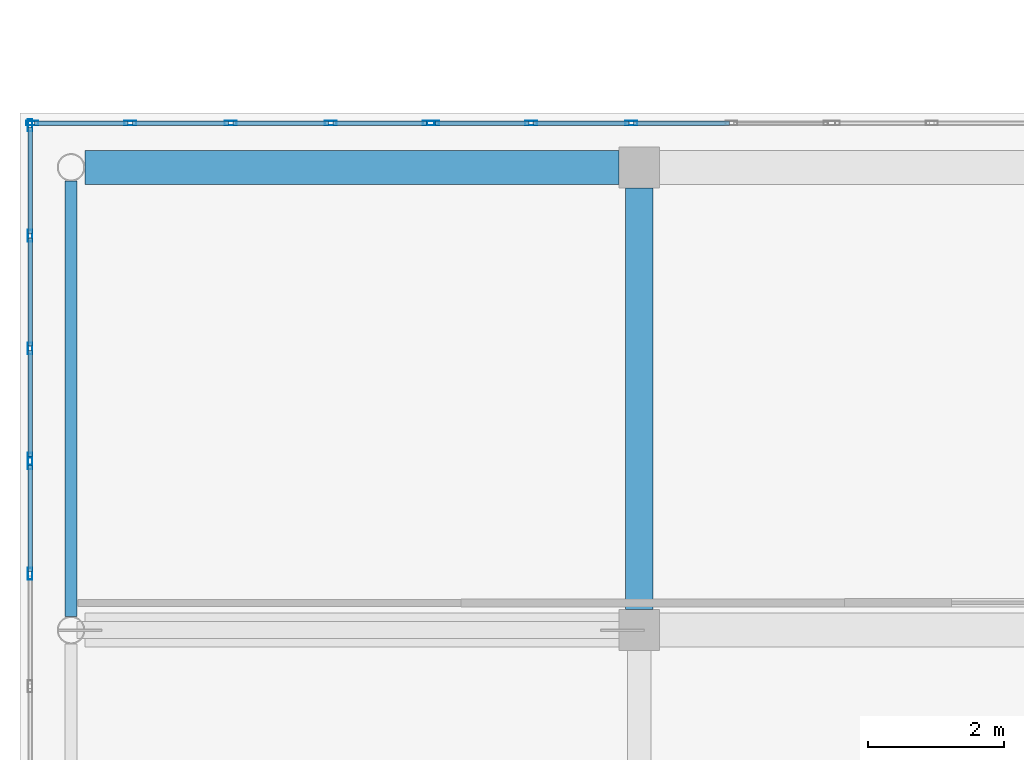
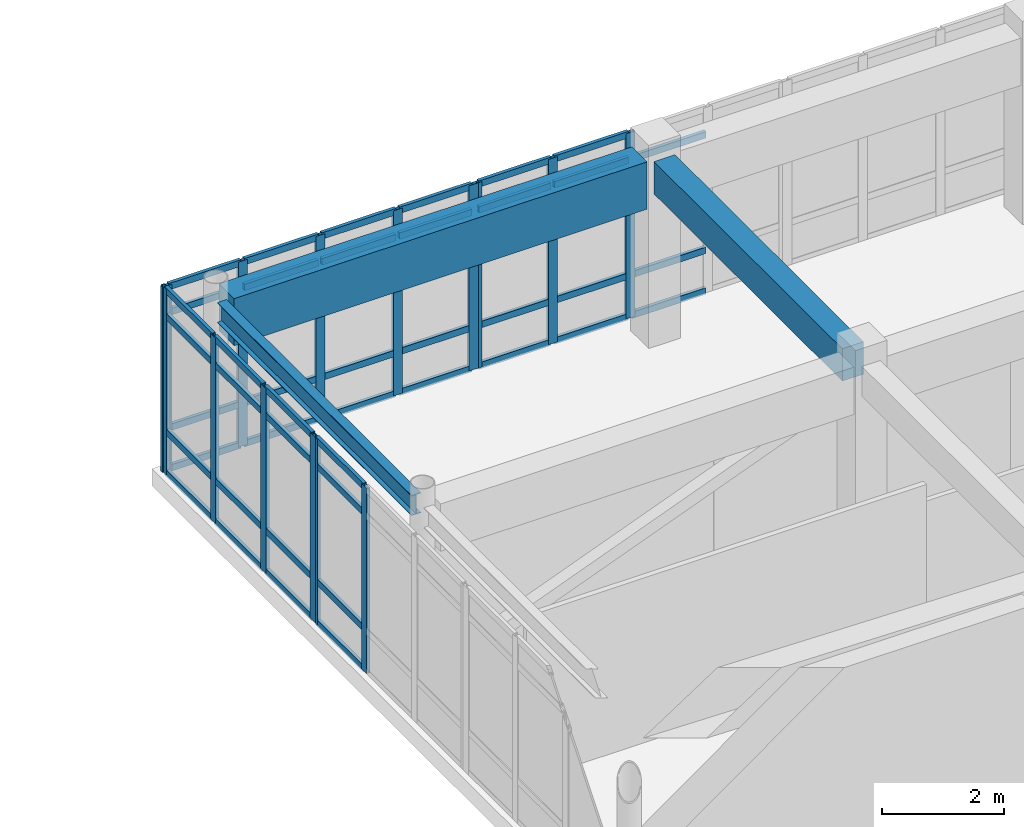
# One storey, part 20 of 91: 57 members, 3 beams, 4 elements without a shape of their own.
"""IFC4 building model written with IfcOpenShell, lengths in metres."""

from ifc_helpers import new_model, si_unit, direction, frame, origin, origin_2d, place, context, subcontext, project, spatial, rectangle, hollow_rectangle, i_section, extrude, material, layer, layer_set, material_profile, profile_set, type_object, element, aggregate, save


model = new_model("IFC4")

# Units and contexts
model_context = context("Model", 3, precision=1e-05, world=origin(), true_north=direction((0.0, 1.0)))
body_context = subcontext(model_context, "Body", "Model", "MODEL_VIEW")
ifc_project = project(units=[si_unit("LENGTHUNIT", "METRE"), si_unit("AREAUNIT", "SQUARE_METRE"), si_unit("VOLUMEUNIT", "CUBIC_METRE"), si_unit("PLANEANGLEUNIT", "RADIAN"), si_unit("MASSUNIT", "GRAM", prefix="KILO")], contexts=[model_context])

# Site, building, storey
site_placement = place(None, origin())
site = spatial("IfcSite", under=ifc_project, at=site_placement, CompositionType="ELEMENT")
building_placement = place(site_placement, origin())
building = spatial("IfcBuilding", under=site, at=building_placement, Name="Valcora Specialist Clinic", CompositionType="ELEMENT")
storey_placement = place(building_placement, frame((0.0, 0.0, 13.60009765625)))
storey = spatial("IfcBuildingStorey", under=building, at=storey_placement, Name="L03", CompositionType="ELEMENT", Elevation=13.60009765625)

# Beams
ifc_material_1 = material(Name="Steel ASTM A992 Grade 50", Category="steel")
ifc_material_profile_1 = material_profile(ifc_material_1, i_section(OverallWidth=0.177978515625, OverallDepth=0.406005859375, WebThickness=0.008056640625, FlangeThickness=0.012939453125, at=origin_2d()), Name="ST-IR-410X180")
ifc_profile_set_1 = profile_set([ifc_material_profile_1], Name="Steel ASTM A992 Grade 50")
beam_type_1 = type_object("IfcBeamType", Name="TY-BM-IR410", PredefinedType="SPANDREL", material=ifc_profile_set_1)
beam_1_placement = place(storey_placement, frame((0.75, 15.403076171875, 3.512939453125), z_axis=(0.0, 1.0, 0.0), x_axis=(-1.0, 0.0, 0.0)))
element("IfcBeam", 1, at=beam_1_placement, inside=storey, type_object=beam_type_1, Name="Beam BM-L03-1055", PredefinedType="SPANDREL", context=body_context, shape_type="SweptSolid", body=[
    extrude(i_section(OverallWidth=0.177978515625, OverallDepth=0.406005859375, WebThickness=0.008056640625, FlangeThickness=0.012939453125, at=origin_2d()), origin(), (0.0, 0.0, 1.0), 6.39404296875),
])
ifc_material_2 = material(Name="Concrete C40/50", Category="concrete")
ifc_material_profile_2 = material_profile(ifc_material_2, rectangle(XDim=0.39990234375, YDim=0.64990234375, at=origin_2d()), Name="RC-BM-400X650")
ifc_profile_set_2 = profile_set([ifc_material_profile_2], Name="Concrete C40/50")
beam_type_2 = type_object("IfcBeamType", Name="TY-BM-RC400X650", PredefinedType="BEAM", material=ifc_profile_set_2)
beam_2_placement = place(storey_placement, frame((9.10009765625, 15.5, 3.39501953125), z_axis=(0.0, 1.0, 0.0), x_axis=(-1.0, 0.0, 0.0)))
element("IfcBeam", 2, at=beam_2_placement, inside=storey, type_object=beam_type_2, Name="Beam BM-L03-1057", PredefinedType="BEAM", context=body_context, shape_type="SweptSolid", body=[
    extrude(rectangle(XDim=0.39990234375, YDim=0.64990234375, at=origin_2d()), origin(), (0.0, 0.0, 1.0), 6.199951171875),
])
ifc_material_profile_3 = material_profile(ifc_material_2, rectangle(XDim=0.5, YDim=0.949951171875, at=origin_2d()), Name="RC-BM-500X950")
ifc_profile_set_3 = profile_set([ifc_material_profile_3], Name="Concrete C40/50")
beam_type_3 = type_object("IfcBeamType", Name="TY-BM-TR500X950", PredefinedType="BEAM", material=ifc_profile_set_3)
beam_3_placement = place(storey_placement, frame((0.952880859375, 22.0, 3.244873046875), z_axis=(1.0, 0.0, 0.0), x_axis=(0.0, 1.0, 0.0)))
element("IfcBeam", 3, at=beam_3_placement, inside=storey, type_object=beam_type_3, Name="Beam BM-L03-1047", PredefinedType="BEAM", context=body_context, shape_type="SweptSolid", body=[
    extrude(rectangle(XDim=0.5, YDim=0.949951171875, at=origin_2d()), origin(), (0.0, 0.0, 1.0), 7.84716796875),
])

# Curtain wall, members
ifc_material_3 = material(Name="Anodized Bronze Aluminium 6063-T6", Category="aluminium")
ifc_layer = layer(ifc_material_3, 0.175048828125)
ifc_layer_set = layer_set([ifc_layer], Name="Anodized Bronze Aluminium 6063-T6")
curtain_wall_type = type_object("IfcCurtainWallType", Name="TY-CW-V5F15", PredefinedType="NOTDEFINED", material=ifc_layer_set)
curtain_wall_1_placement = place(storey_placement, origin())
curtain_wall_1 = element("IfcCurtainWall", 4, at=curtain_wall_1_placement, inside=storey, type_object=curtain_wall_type, Name="Curtain wall CW-L03-153", PredefinedType="NOTDEFINED")
ifc_material_profile_4 = material_profile(ifc_material_3, hollow_rectangle(XDim=0.06494140625, YDim=0.175048828125, WallThickness=0.00390625, at=origin_2d()), Name="AL-MUL-65X175")
ifc_profile_set_4 = profile_set([ifc_material_profile_4], Name="Anodized Bronze Aluminium 6063-T6")
member_type_1 = type_object("IfcMemberType", Name="TY-CWM-65X175", PredefinedType="MULLION", material=ifc_profile_set_4)
member_1_placement = place(storey_placement, frame((0.14990234375, 16.02783203125, 0.0), z_axis=(0.0, 0.0, 1.0), x_axis=(-1.0, 0.0, 0.0)))
member_1 = element("IfcMember", 5, at=member_1_placement, type_object=member_type_1, Name="CW-V5F-15 mullion 3", PredefinedType="MULLION", context=body_context, shape_type="SweptSolid", body=[
    extrude(hollow_rectangle(XDim=0.06494140625, YDim=0.175048828125, WallThickness=0.00390625, at=origin_2d()), origin(), (0.0, 0.0, 1.0), 3.719970703125),
])
member_2_placement = place(storey_placement, frame((0.14990234375, 17.65087890625, 0.0), z_axis=(0.0, 0.0, 1.0), x_axis=(-1.0, 0.0, 0.0)))
member_2 = element("IfcMember", 6, at=member_2_placement, type_object=member_type_1, Name="CW-V5F-15 mullion 4", PredefinedType="MULLION", context=body_context, shape_type="SweptSolid", body=[
    extrude(hollow_rectangle(XDim=0.06494140625, YDim=0.175048828125, WallThickness=0.00390625, at=origin_2d()), origin(), (0.0, 0.0, 1.0), 3.719970703125),
])

curtain_wall_2_placement = place(storey_placement, origin())
curtain_wall_2 = element("IfcCurtainWall", 7, at=curtain_wall_2_placement, inside=storey, type_object=curtain_wall_type, Name="Curtain wall CW-L03-154", PredefinedType="NOTDEFINED")
member_3_placement = place(storey_placement, frame((0.14990234375, 17.7158203125, 0.0), z_axis=(0.0, 0.0, 1.0), x_axis=(-1.0, 0.0, 0.0)))
member_3 = element("IfcMember", 8, at=member_3_placement, type_object=member_type_1, Name="CW-V5F-15 mullion 1", PredefinedType="MULLION", context=body_context, shape_type="SweptSolid", body=[
    extrude(hollow_rectangle(XDim=0.06494140625, YDim=0.175048828125, WallThickness=0.00390625, at=origin_2d()), origin(), (0.0, 0.0, 1.0), 3.719970703125),
])
member_4_placement = place(storey_placement, frame((0.14990234375, 19.3388671875, 0.0), z_axis=(0.0, 0.0, 1.0), x_axis=(-1.0, 0.0, 0.0)))
member_4 = element("IfcMember", 9, at=member_4_placement, type_object=member_type_1, Name="CW-V5F-15 mullion 2", PredefinedType="MULLION", context=body_context, shape_type="SweptSolid", body=[
    extrude(hollow_rectangle(XDim=0.06494140625, YDim=0.175048828125, WallThickness=0.00390625, at=origin_2d()), origin(), (0.0, 0.0, 1.0), 3.719970703125),
])
member_5_placement = place(storey_placement, frame((0.14990234375, 20.994384765625, 0.0), z_axis=(0.0, 0.0, 1.0), x_axis=(-1.0, 0.0, 0.0)))
member_5 = element("IfcMember", 10, at=member_5_placement, type_object=member_type_1, Name="CW-V5F-15 mullion 3", PredefinedType="MULLION", context=body_context, shape_type="SweptSolid", body=[
    extrude(hollow_rectangle(XDim=0.06494140625, YDim=0.175048828125, WallThickness=0.00390625, at=origin_2d()), origin(), (0.0, 0.0, 1.0), 3.719970703125),
])
member_6_placement = place(storey_placement, frame((0.14990234375, 22.617431640625, 0.0), z_axis=(0.0, 0.0, 1.0), x_axis=(-1.0, 0.0, 0.0)))
member_6 = element("IfcMember", 11, at=member_6_placement, type_object=member_type_1, Name="CW-V5F-15 mullion 4", PredefinedType="MULLION", context=body_context, shape_type="SweptSolid", body=[
    extrude(hollow_rectangle(XDim=0.06494140625, YDim=0.175048828125, WallThickness=0.00390625, at=origin_2d()), origin(), (0.0, 0.0, 1.0), 3.719970703125),
])

curtain_wall_3_placement = place(storey_placement, origin())
curtain_wall_3 = element("IfcCurtainWall", 12, at=curtain_wall_3_placement, inside=storey, type_object=curtain_wall_type, Name="Curtain wall CW-L03-155", PredefinedType="NOTDEFINED")
member_7_placement = place(storey_placement, frame((0.1826171875, 22.64990234375, 0.0), z_axis=(0.0, 0.0, 1.0), x_axis=(0.0, 1.0, 0.0)))
member_7 = element("IfcMember", 13, at=member_7_placement, type_object=member_type_1, Name="CW-V5F-15 mullion 1", PredefinedType="MULLION", context=body_context, shape_type="SweptSolid", body=[
    extrude(hollow_rectangle(XDim=0.06494140625, YDim=0.175048828125, WallThickness=0.00390625, at=origin_2d()), origin(), (0.0, 0.0, 1.0), 3.719970703125),
])
member_8_placement = place(storey_placement, frame((1.622314453125, 22.64990234375, 0.0), z_axis=(0.0, 0.0, 1.0), x_axis=(0.0, 1.0, 0.0)))
member_8 = element("IfcMember", 14, at=member_8_placement, type_object=member_type_1, Name="CW-V5F-15 mullion 2", PredefinedType="MULLION", context=body_context, shape_type="SweptSolid", body=[
    extrude(hollow_rectangle(XDim=0.06494140625, YDim=0.175048828125, WallThickness=0.00390625, at=origin_2d()), origin(), (0.0, 0.0, 1.0), 3.719970703125),
])
member_9_placement = place(storey_placement, frame((3.094482421875, 22.64990234375, 0.0), z_axis=(0.0, 0.0, 1.0), x_axis=(0.0, 1.0, 0.0)))
member_9 = element("IfcMember", 15, at=member_9_placement, type_object=member_type_1, Name="CW-V5F-15 mullion 3", PredefinedType="MULLION", context=body_context, shape_type="SweptSolid", body=[
    extrude(hollow_rectangle(XDim=0.06494140625, YDim=0.175048828125, WallThickness=0.00390625, at=origin_2d()), origin(), (0.0, 0.0, 1.0), 3.719970703125),
])
member_10_placement = place(storey_placement, frame((4.566650390625, 22.64990234375, 0.0), z_axis=(0.0, 0.0, 1.0), x_axis=(0.0, 1.0, 0.0)))
member_10 = element("IfcMember", 16, at=member_10_placement, type_object=member_type_1, Name="CW-V5F-15 mullion 4", PredefinedType="MULLION", context=body_context, shape_type="SweptSolid", body=[
    extrude(hollow_rectangle(XDim=0.06494140625, YDim=0.175048828125, WallThickness=0.00390625, at=origin_2d()), origin(), (0.0, 0.0, 1.0), 3.719970703125),
])
member_11_placement = place(storey_placement, frame((6.00634765625, 22.64990234375, 0.0), z_axis=(0.0, 0.0, 1.0), x_axis=(0.0, 1.0, 0.0)))
member_11 = element("IfcMember", 17, at=member_11_placement, type_object=member_type_1, Name="CW-V5F-15 mullion 5", PredefinedType="MULLION", context=body_context, shape_type="SweptSolid", body=[
    extrude(hollow_rectangle(XDim=0.06494140625, YDim=0.175048828125, WallThickness=0.00390625, at=origin_2d()), origin(), (0.0, 0.0, 1.0), 3.719970703125),
])

curtain_wall_4_placement = place(storey_placement, origin())
curtain_wall_4 = element("IfcCurtainWall", 18, at=curtain_wall_4_placement, inside=storey, type_object=curtain_wall_type, Name="Curtain wall CW-L03-156", PredefinedType="NOTDEFINED")
member_12_placement = place(storey_placement, frame((6.0712890625, 22.64990234375, 0.0), z_axis=(0.0, 0.0, 1.0), x_axis=(0.0, 1.0, 0.0)))
member_12 = element("IfcMember", 19, at=member_12_placement, type_object=member_type_1, Name="CW-V5F-15 mullion 1", PredefinedType="MULLION", context=body_context, shape_type="SweptSolid", body=[
    extrude(hollow_rectangle(XDim=0.06494140625, YDim=0.175048828125, WallThickness=0.00390625, at=origin_2d()), origin(), (0.0, 0.0, 1.0), 3.719970703125),
])
member_13_placement = place(storey_placement, frame((7.51123046875, 22.64990234375, 0.0), z_axis=(0.0, 0.0, 1.0), x_axis=(0.0, 1.0, 0.0)))
member_13 = element("IfcMember", 20, at=member_13_placement, type_object=member_type_1, Name="CW-V5F-15 mullion 2", PredefinedType="MULLION", context=body_context, shape_type="SweptSolid", body=[
    extrude(hollow_rectangle(XDim=0.06494140625, YDim=0.175048828125, WallThickness=0.00390625, at=origin_2d()), origin(), (0.0, 0.0, 1.0), 3.719970703125),
])
member_14_placement = place(storey_placement, frame((8.9833984375, 22.64990234375, 0.0), z_axis=(0.0, 0.0, 1.0), x_axis=(0.0, 1.0, 0.0)))
member_14 = element("IfcMember", 21, at=member_14_placement, type_object=member_type_1, Name="CW-V5F-15 mullion 3", PredefinedType="MULLION", context=body_context, shape_type="SweptSolid", body=[
    extrude(hollow_rectangle(XDim=0.06494140625, YDim=0.175048828125, WallThickness=0.00390625, at=origin_2d()), origin(), (0.0, 0.0, 1.0), 3.719970703125),
])

# Member
ifc_material_profile_5 = material_profile(ifc_material_3, hollow_rectangle(XDim=0.06494140625, YDim=0.1298828125, WallThickness=0.00390625, at=origin_2d()), Name="AL-TRN-65X130")
ifc_profile_set_5 = profile_set([ifc_material_profile_5], Name="Anodized Bronze Aluminium 6063-T6")
member_type_2 = type_object("IfcMemberType", Name="TY-CWT-65X130", PredefinedType="USERDEFINED", material=ifc_profile_set_5)
member_15_placement = place(storey_placement, frame((0.14990234375, 16.060302734375, 0.032470703125), z_axis=(0.0, 1.0, 0.0), x_axis=(-1.0, 0.0, 0.0)))
member_15 = element("IfcMember", 22, at=member_15_placement, type_object=member_type_2, Name="CW-V5F-15 transom 3.1", ObjectType="TRANSOM", PredefinedType="USERDEFINED", context=body_context, shape_type="SweptSolid", body=[
    extrude(hollow_rectangle(XDim=0.06494140625, YDim=0.1298828125, WallThickness=0.00390625, at=origin_2d()), origin(), (0.0, 0.0, 1.0), 1.55810546875),
])

member_16_placement = place(storey_placement, frame((0.14990234375, 16.060302734375, 0.849853515625), z_axis=(0.0, 1.0, 0.0), x_axis=(-1.0, 0.0, 0.0)))
member_16 = element("IfcMember", 23, at=member_16_placement, type_object=member_type_2, Name="CW-V5F-15 transom 3.2", ObjectType="TRANSOM", PredefinedType="USERDEFINED", context=body_context, shape_type="SweptSolid", body=[
    extrude(hollow_rectangle(XDim=0.06494140625, YDim=0.1298828125, WallThickness=0.00390625, at=origin_2d()), origin(), (0.0, 0.0, 1.0), 1.55810546875),
])

member_17_placement = place(storey_placement, frame((0.14990234375, 16.060302734375, 3.169921875), z_axis=(0.0, 1.0, 0.0), x_axis=(-1.0, 0.0, 0.0)))
member_17 = element("IfcMember", 24, at=member_17_placement, type_object=member_type_2, Name="CW-V5F-15 transom 3.3", ObjectType="TRANSOM", PredefinedType="USERDEFINED", context=body_context, shape_type="SweptSolid", body=[
    extrude(hollow_rectangle(XDim=0.06494140625, YDim=0.1298828125, WallThickness=0.00390625, at=origin_2d()), origin(), (0.0, 0.0, 1.0), 1.55810546875),
])

member_18_placement = place(storey_placement, frame((0.14990234375, 16.060302734375, 3.6875), z_axis=(0.0, 1.0, 0.0), x_axis=(-1.0, 0.0, 0.0)))
member_18 = element("IfcMember", 25, at=member_18_placement, type_object=member_type_2, Name="CW-V5F-15 transom 3.4", ObjectType="TRANSOM", PredefinedType="USERDEFINED", context=body_context, shape_type="SweptSolid", body=[
    extrude(hollow_rectangle(XDim=0.06494140625, YDim=0.1298828125, WallThickness=0.00390625, at=origin_2d()), origin(), (0.0, 0.0, 1.0), 1.55810546875),
])

aggregate(curtain_wall_1, [member_1, member_2, member_15, member_16, member_17, member_18])

member_19_placement = place(storey_placement, frame((0.14990234375, 17.748291015625, 0.032470703125), z_axis=(0.0, 1.0, 0.0), x_axis=(-1.0, 0.0, 0.0)))
member_19 = element("IfcMember", 26, at=member_19_placement, type_object=member_type_2, Name="CW-V5F-15 transom 1.1", ObjectType="TRANSOM", PredefinedType="USERDEFINED", context=body_context, shape_type="SweptSolid", body=[
    extrude(hollow_rectangle(XDim=0.06494140625, YDim=0.1298828125, WallThickness=0.00390625, at=origin_2d()), origin(), (0.0, 0.0, 1.0), 1.55810546875),
])

member_20_placement = place(storey_placement, frame((0.14990234375, 17.748291015625, 0.849853515625), z_axis=(0.0, 1.0, 0.0), x_axis=(-1.0, 0.0, 0.0)))
member_20 = element("IfcMember", 27, at=member_20_placement, type_object=member_type_2, Name="CW-V5F-15 transom 1.2", ObjectType="TRANSOM", PredefinedType="USERDEFINED", context=body_context, shape_type="SweptSolid", body=[
    extrude(hollow_rectangle(XDim=0.06494140625, YDim=0.1298828125, WallThickness=0.00390625, at=origin_2d()), origin(), (0.0, 0.0, 1.0), 1.55810546875),
])

member_21_placement = place(storey_placement, frame((0.14990234375, 17.748291015625, 3.169921875), z_axis=(0.0, 1.0, 0.0), x_axis=(-1.0, 0.0, 0.0)))
member_21 = element("IfcMember", 28, at=member_21_placement, type_object=member_type_2, Name="CW-V5F-15 transom 1.3", ObjectType="TRANSOM", PredefinedType="USERDEFINED", context=body_context, shape_type="SweptSolid", body=[
    extrude(hollow_rectangle(XDim=0.06494140625, YDim=0.1298828125, WallThickness=0.00390625, at=origin_2d()), origin(), (0.0, 0.0, 1.0), 1.55810546875),
])

member_22_placement = place(storey_placement, frame((0.14990234375, 17.748291015625, 3.6875), z_axis=(0.0, 1.0, 0.0), x_axis=(-1.0, 0.0, 0.0)))
member_22 = element("IfcMember", 29, at=member_22_placement, type_object=member_type_2, Name="CW-V5F-15 transom 1.4", ObjectType="TRANSOM", PredefinedType="USERDEFINED", context=body_context, shape_type="SweptSolid", body=[
    extrude(hollow_rectangle(XDim=0.06494140625, YDim=0.1298828125, WallThickness=0.00390625, at=origin_2d()), origin(), (0.0, 0.0, 1.0), 1.55810546875),
])

member_23_placement = place(storey_placement, frame((0.14990234375, 19.371337890625, 0.032470703125), z_axis=(0.0, 1.0, 0.0), x_axis=(-1.0, 0.0, 0.0)))
member_23 = element("IfcMember", 30, at=member_23_placement, type_object=member_type_2, Name="CW-V5F-15 transom 2.1", ObjectType="TRANSOM", PredefinedType="USERDEFINED", context=body_context, shape_type="SweptSolid", body=[
    extrude(hollow_rectangle(XDim=0.06494140625, YDim=0.1298828125, WallThickness=0.00390625, at=origin_2d()), origin(), (0.0, 0.0, 1.0), 1.590576171875),
])

member_24_placement = place(storey_placement, frame((0.14990234375, 19.371337890625, 0.849853515625), z_axis=(0.0, 1.0, 0.0), x_axis=(-1.0, 0.0, 0.0)))
member_24 = element("IfcMember", 31, at=member_24_placement, type_object=member_type_2, Name="CW-V5F-15 transom 2.2", ObjectType="TRANSOM", PredefinedType="USERDEFINED", context=body_context, shape_type="SweptSolid", body=[
    extrude(hollow_rectangle(XDim=0.06494140625, YDim=0.1298828125, WallThickness=0.00390625, at=origin_2d()), origin(), (0.0, 0.0, 1.0), 1.590576171875),
])

member_25_placement = place(storey_placement, frame((0.14990234375, 19.371337890625, 3.169921875), z_axis=(0.0, 1.0, 0.0), x_axis=(-1.0, 0.0, 0.0)))
member_25 = element("IfcMember", 32, at=member_25_placement, type_object=member_type_2, Name="CW-V5F-15 transom 2.3", ObjectType="TRANSOM", PredefinedType="USERDEFINED", context=body_context, shape_type="SweptSolid", body=[
    extrude(hollow_rectangle(XDim=0.06494140625, YDim=0.1298828125, WallThickness=0.00390625, at=origin_2d()), origin(), (0.0, 0.0, 1.0), 1.590576171875),
])

member_26_placement = place(storey_placement, frame((0.14990234375, 19.371337890625, 3.6875), z_axis=(0.0, 1.0, 0.0), x_axis=(-1.0, 0.0, 0.0)))
member_26 = element("IfcMember", 33, at=member_26_placement, type_object=member_type_2, Name="CW-V5F-15 transom 2.4", ObjectType="TRANSOM", PredefinedType="USERDEFINED", context=body_context, shape_type="SweptSolid", body=[
    extrude(hollow_rectangle(XDim=0.06494140625, YDim=0.1298828125, WallThickness=0.00390625, at=origin_2d()), origin(), (0.0, 0.0, 1.0), 1.590576171875),
])

member_27_placement = place(storey_placement, frame((0.14990234375, 21.02685546875, 0.032470703125), z_axis=(0.0, 1.0, 0.0), x_axis=(-1.0, 0.0, 0.0)))
member_27 = element("IfcMember", 34, at=member_27_placement, type_object=member_type_2, Name="CW-V5F-15 transom 3.1", ObjectType="TRANSOM", PredefinedType="USERDEFINED", context=body_context, shape_type="SweptSolid", body=[
    extrude(hollow_rectangle(XDim=0.06494140625, YDim=0.1298828125, WallThickness=0.00390625, at=origin_2d()), origin(), (0.0, 0.0, 1.0), 1.55810546875),
])

member_28_placement = place(storey_placement, frame((0.14990234375, 21.02685546875, 0.849853515625), z_axis=(0.0, 1.0, 0.0), x_axis=(-1.0, 0.0, 0.0)))
member_28 = element("IfcMember", 35, at=member_28_placement, type_object=member_type_2, Name="CW-V5F-15 transom 3.2", ObjectType="TRANSOM", PredefinedType="USERDEFINED", context=body_context, shape_type="SweptSolid", body=[
    extrude(hollow_rectangle(XDim=0.06494140625, YDim=0.1298828125, WallThickness=0.00390625, at=origin_2d()), origin(), (0.0, 0.0, 1.0), 1.55810546875),
])

member_29_placement = place(storey_placement, frame((0.14990234375, 21.02685546875, 3.169921875), z_axis=(0.0, 1.0, 0.0), x_axis=(-1.0, 0.0, 0.0)))
member_29 = element("IfcMember", 36, at=member_29_placement, type_object=member_type_2, Name="CW-V5F-15 transom 3.3", ObjectType="TRANSOM", PredefinedType="USERDEFINED", context=body_context, shape_type="SweptSolid", body=[
    extrude(hollow_rectangle(XDim=0.06494140625, YDim=0.1298828125, WallThickness=0.00390625, at=origin_2d()), origin(), (0.0, 0.0, 1.0), 1.55810546875),
])

member_30_placement = place(storey_placement, frame((0.14990234375, 21.02685546875, 3.6875), z_axis=(0.0, 1.0, 0.0), x_axis=(-1.0, 0.0, 0.0)))
member_30 = element("IfcMember", 37, at=member_30_placement, type_object=member_type_2, Name="CW-V5F-15 transom 3.4", ObjectType="TRANSOM", PredefinedType="USERDEFINED", context=body_context, shape_type="SweptSolid", body=[
    extrude(hollow_rectangle(XDim=0.06494140625, YDim=0.1298828125, WallThickness=0.00390625, at=origin_2d()), origin(), (0.0, 0.0, 1.0), 1.55810546875),
])

aggregate(curtain_wall_2, [member_3, member_4, member_5, member_6, member_19, member_20, member_21, member_22, member_23, member_24, member_25, member_26, member_27, member_28, member_29, member_30])

member_31_placement = place(storey_placement, frame((0.215087890625, 22.64990234375, 0.032470703125), z_axis=(1.0, 0.0, 0.0), x_axis=(0.0, 1.0, 0.0)))
member_31 = element("IfcMember", 38, at=member_31_placement, type_object=member_type_2, Name="CW-V5F-15 transom 1.1", ObjectType="TRANSOM", PredefinedType="USERDEFINED", context=body_context, shape_type="SweptSolid", body=[
    extrude(hollow_rectangle(XDim=0.06494140625, YDim=0.1298828125, WallThickness=0.00390625, at=origin_2d()), origin(), (0.0, 0.0, 1.0), 1.374755859375),
])

member_32_placement = place(storey_placement, frame((0.215087890625, 22.64990234375, 0.849853515625), z_axis=(1.0, 0.0, 0.0), x_axis=(0.0, 1.0, 0.0)))
member_32 = element("IfcMember", 39, at=member_32_placement, type_object=member_type_2, Name="CW-V5F-15 transom 1.2", ObjectType="TRANSOM", PredefinedType="USERDEFINED", context=body_context, shape_type="SweptSolid", body=[
    extrude(hollow_rectangle(XDim=0.06494140625, YDim=0.1298828125, WallThickness=0.00390625, at=origin_2d()), origin(), (0.0, 0.0, 1.0), 1.374755859375),
])

member_33_placement = place(storey_placement, frame((0.215087890625, 22.64990234375, 3.169921875), z_axis=(1.0, 0.0, 0.0), x_axis=(0.0, 1.0, 0.0)))
member_33 = element("IfcMember", 40, at=member_33_placement, type_object=member_type_2, Name="CW-V5F-15 transom 1.3", ObjectType="TRANSOM", PredefinedType="USERDEFINED", context=body_context, shape_type="SweptSolid", body=[
    extrude(hollow_rectangle(XDim=0.06494140625, YDim=0.1298828125, WallThickness=0.00390625, at=origin_2d()), origin(), (0.0, 0.0, 1.0), 1.374755859375),
])

member_34_placement = place(storey_placement, frame((0.215087890625, 22.64990234375, 3.6875), z_axis=(1.0, 0.0, 0.0), x_axis=(0.0, 1.0, 0.0)))
member_34 = element("IfcMember", 41, at=member_34_placement, type_object=member_type_2, Name="CW-V5F-15 transom 1.4", ObjectType="TRANSOM", PredefinedType="USERDEFINED", context=body_context, shape_type="SweptSolid", body=[
    extrude(hollow_rectangle(XDim=0.06494140625, YDim=0.1298828125, WallThickness=0.00390625, at=origin_2d()), origin(), (0.0, 0.0, 1.0), 1.374755859375),
])

member_35_placement = place(storey_placement, frame((1.65478515625, 22.64990234375, 0.032470703125), z_axis=(1.0, 0.0, 0.0), x_axis=(0.0, 1.0, 0.0)))
member_35 = element("IfcMember", 42, at=member_35_placement, type_object=member_type_2, Name="CW-V5F-15 transom 2.1", ObjectType="TRANSOM", PredefinedType="USERDEFINED", context=body_context, shape_type="SweptSolid", body=[
    extrude(hollow_rectangle(XDim=0.06494140625, YDim=0.1298828125, WallThickness=0.00390625, at=origin_2d()), origin(), (0.0, 0.0, 1.0), 1.4072265625),
])

member_36_placement = place(storey_placement, frame((1.65478515625, 22.64990234375, 0.849853515625), z_axis=(1.0, 0.0, 0.0), x_axis=(0.0, 1.0, 0.0)))
member_36 = element("IfcMember", 43, at=member_36_placement, type_object=member_type_2, Name="CW-V5F-15 transom 2.2", ObjectType="TRANSOM", PredefinedType="USERDEFINED", context=body_context, shape_type="SweptSolid", body=[
    extrude(hollow_rectangle(XDim=0.06494140625, YDim=0.1298828125, WallThickness=0.00390625, at=origin_2d()), origin(), (0.0, 0.0, 1.0), 1.4072265625),
])

member_37_placement = place(storey_placement, frame((1.65478515625, 22.64990234375, 3.169921875), z_axis=(1.0, 0.0, 0.0), x_axis=(0.0, 1.0, 0.0)))
member_37 = element("IfcMember", 44, at=member_37_placement, type_object=member_type_2, Name="CW-V5F-15 transom 2.3", ObjectType="TRANSOM", PredefinedType="USERDEFINED", context=body_context, shape_type="SweptSolid", body=[
    extrude(hollow_rectangle(XDim=0.06494140625, YDim=0.1298828125, WallThickness=0.00390625, at=origin_2d()), origin(), (0.0, 0.0, 1.0), 1.4072265625),
])

member_38_placement = place(storey_placement, frame((1.65478515625, 22.64990234375, 3.6875), z_axis=(1.0, 0.0, 0.0), x_axis=(0.0, 1.0, 0.0)))
member_38 = element("IfcMember", 45, at=member_38_placement, type_object=member_type_2, Name="CW-V5F-15 transom 2.4", ObjectType="TRANSOM", PredefinedType="USERDEFINED", context=body_context, shape_type="SweptSolid", body=[
    extrude(hollow_rectangle(XDim=0.06494140625, YDim=0.1298828125, WallThickness=0.00390625, at=origin_2d()), origin(), (0.0, 0.0, 1.0), 1.4072265625),
])

member_39_placement = place(storey_placement, frame((3.126953125, 22.64990234375, 0.032470703125), z_axis=(1.0, 0.0, 0.0), x_axis=(0.0, 1.0, 0.0)))
member_39 = element("IfcMember", 46, at=member_39_placement, type_object=member_type_2, Name="CW-V5F-15 transom 3.1", ObjectType="TRANSOM", PredefinedType="USERDEFINED", context=body_context, shape_type="SweptSolid", body=[
    extrude(hollow_rectangle(XDim=0.06494140625, YDim=0.1298828125, WallThickness=0.00390625, at=origin_2d()), origin(), (0.0, 0.0, 1.0), 1.4072265625),
])

member_40_placement = place(storey_placement, frame((3.126953125, 22.64990234375, 0.849853515625), z_axis=(1.0, 0.0, 0.0), x_axis=(0.0, 1.0, 0.0)))
member_40 = element("IfcMember", 47, at=member_40_placement, type_object=member_type_2, Name="CW-V5F-15 transom 3.2", ObjectType="TRANSOM", PredefinedType="USERDEFINED", context=body_context, shape_type="SweptSolid", body=[
    extrude(hollow_rectangle(XDim=0.06494140625, YDim=0.1298828125, WallThickness=0.00390625, at=origin_2d()), origin(), (0.0, 0.0, 1.0), 1.4072265625),
])

member_41_placement = place(storey_placement, frame((3.126953125, 22.64990234375, 3.169921875), z_axis=(1.0, 0.0, 0.0), x_axis=(0.0, 1.0, 0.0)))
member_41 = element("IfcMember", 48, at=member_41_placement, type_object=member_type_2, Name="CW-V5F-15 transom 3.3", ObjectType="TRANSOM", PredefinedType="USERDEFINED", context=body_context, shape_type="SweptSolid", body=[
    extrude(hollow_rectangle(XDim=0.06494140625, YDim=0.1298828125, WallThickness=0.00390625, at=origin_2d()), origin(), (0.0, 0.0, 1.0), 1.4072265625),
])

member_42_placement = place(storey_placement, frame((3.126953125, 22.64990234375, 3.6875), z_axis=(1.0, 0.0, 0.0), x_axis=(0.0, 1.0, 0.0)))
member_42 = element("IfcMember", 49, at=member_42_placement, type_object=member_type_2, Name="CW-V5F-15 transom 3.4", ObjectType="TRANSOM", PredefinedType="USERDEFINED", context=body_context, shape_type="SweptSolid", body=[
    extrude(hollow_rectangle(XDim=0.06494140625, YDim=0.1298828125, WallThickness=0.00390625, at=origin_2d()), origin(), (0.0, 0.0, 1.0), 1.4072265625),
])

member_43_placement = place(storey_placement, frame((4.59912109375, 22.64990234375, 0.032470703125), z_axis=(1.0, 0.0, 0.0), x_axis=(0.0, 1.0, 0.0)))
member_43 = element("IfcMember", 50, at=member_43_placement, type_object=member_type_2, Name="CW-V5F-15 transom 4.1", ObjectType="TRANSOM", PredefinedType="USERDEFINED", context=body_context, shape_type="SweptSolid", body=[
    extrude(hollow_rectangle(XDim=0.06494140625, YDim=0.1298828125, WallThickness=0.00390625, at=origin_2d()), origin(), (0.0, 0.0, 1.0), 1.374755859375),
])

member_44_placement = place(storey_placement, frame((4.59912109375, 22.64990234375, 0.849853515625), z_axis=(1.0, 0.0, 0.0), x_axis=(0.0, 1.0, 0.0)))
member_44 = element("IfcMember", 51, at=member_44_placement, type_object=member_type_2, Name="CW-V5F-15 transom 4.2", ObjectType="TRANSOM", PredefinedType="USERDEFINED", context=body_context, shape_type="SweptSolid", body=[
    extrude(hollow_rectangle(XDim=0.06494140625, YDim=0.1298828125, WallThickness=0.00390625, at=origin_2d()), origin(), (0.0, 0.0, 1.0), 1.374755859375),
])

member_45_placement = place(storey_placement, frame((4.59912109375, 22.64990234375, 3.169921875), z_axis=(1.0, 0.0, 0.0), x_axis=(0.0, 1.0, 0.0)))
member_45 = element("IfcMember", 52, at=member_45_placement, type_object=member_type_2, Name="CW-V5F-15 transom 4.3", ObjectType="TRANSOM", PredefinedType="USERDEFINED", context=body_context, shape_type="SweptSolid", body=[
    extrude(hollow_rectangle(XDim=0.06494140625, YDim=0.1298828125, WallThickness=0.00390625, at=origin_2d()), origin(), (0.0, 0.0, 1.0), 1.374755859375),
])

member_46_placement = place(storey_placement, frame((4.59912109375, 22.64990234375, 3.6875), z_axis=(1.0, 0.0, 0.0), x_axis=(0.0, 1.0, 0.0)))
member_46 = element("IfcMember", 53, at=member_46_placement, type_object=member_type_2, Name="CW-V5F-15 transom 4.4", ObjectType="TRANSOM", PredefinedType="USERDEFINED", context=body_context, shape_type="SweptSolid", body=[
    extrude(hollow_rectangle(XDim=0.06494140625, YDim=0.1298828125, WallThickness=0.00390625, at=origin_2d()), origin(), (0.0, 0.0, 1.0), 1.374755859375),
])

aggregate(curtain_wall_3, [member_7, member_8, member_9, member_10, member_11, member_31, member_32, member_33, member_34, member_35, member_36, member_37, member_38, member_39, member_40, member_41, member_42, member_43, member_44, member_45, member_46])

member_47_placement = place(storey_placement, frame((6.10400390625, 22.64990234375, 0.032470703125), z_axis=(1.0, 0.0, 0.0), x_axis=(0.0, 1.0, 0.0)))
member_47 = element("IfcMember", 54, at=member_47_placement, type_object=member_type_2, Name="CW-V5F-15 transom 1.1", ObjectType="TRANSOM", PredefinedType="USERDEFINED", context=body_context, shape_type="SweptSolid", body=[
    extrude(hollow_rectangle(XDim=0.06494140625, YDim=0.1298828125, WallThickness=0.00390625, at=origin_2d()), origin(), (0.0, 0.0, 1.0), 1.37451171875),
])

member_48_placement = place(storey_placement, frame((6.10400390625, 22.64990234375, 0.849853515625), z_axis=(1.0, 0.0, 0.0), x_axis=(0.0, 1.0, 0.0)))
member_48 = element("IfcMember", 55, at=member_48_placement, type_object=member_type_2, Name="CW-V5F-15 transom 1.2", ObjectType="TRANSOM", PredefinedType="USERDEFINED", context=body_context, shape_type="SweptSolid", body=[
    extrude(hollow_rectangle(XDim=0.06494140625, YDim=0.1298828125, WallThickness=0.00390625, at=origin_2d()), origin(), (0.0, 0.0, 1.0), 1.37451171875),
])

member_49_placement = place(storey_placement, frame((6.10400390625, 22.64990234375, 3.169921875), z_axis=(1.0, 0.0, 0.0), x_axis=(0.0, 1.0, 0.0)))
member_49 = element("IfcMember", 56, at=member_49_placement, type_object=member_type_2, Name="CW-V5F-15 transom 1.3", ObjectType="TRANSOM", PredefinedType="USERDEFINED", context=body_context, shape_type="SweptSolid", body=[
    extrude(hollow_rectangle(XDim=0.06494140625, YDim=0.1298828125, WallThickness=0.00390625, at=origin_2d()), origin(), (0.0, 0.0, 1.0), 1.37451171875),
])

member_50_placement = place(storey_placement, frame((6.10400390625, 22.64990234375, 3.6875), z_axis=(1.0, 0.0, 0.0), x_axis=(0.0, 1.0, 0.0)))
member_50 = element("IfcMember", 57, at=member_50_placement, type_object=member_type_2, Name="CW-V5F-15 transom 1.4", ObjectType="TRANSOM", PredefinedType="USERDEFINED", context=body_context, shape_type="SweptSolid", body=[
    extrude(hollow_rectangle(XDim=0.06494140625, YDim=0.1298828125, WallThickness=0.00390625, at=origin_2d()), origin(), (0.0, 0.0, 1.0), 1.37451171875),
])

member_51_placement = place(storey_placement, frame((7.543701171875, 22.64990234375, 0.032470703125), z_axis=(1.0, 0.0, 0.0), x_axis=(0.0, 1.0, 0.0)))
member_51 = element("IfcMember", 58, at=member_51_placement, type_object=member_type_2, Name="CW-V5F-15 transom 2.1", ObjectType="TRANSOM", PredefinedType="USERDEFINED", context=body_context, shape_type="SweptSolid", body=[
    extrude(hollow_rectangle(XDim=0.06494140625, YDim=0.1298828125, WallThickness=0.00390625, at=origin_2d()), origin(), (0.0, 0.0, 1.0), 1.4072265625),
])

member_52_placement = place(storey_placement, frame((7.543701171875, 22.64990234375, 0.849853515625), z_axis=(1.0, 0.0, 0.0), x_axis=(0.0, 1.0, 0.0)))
member_52 = element("IfcMember", 59, at=member_52_placement, type_object=member_type_2, Name="CW-V5F-15 transom 2.2", ObjectType="TRANSOM", PredefinedType="USERDEFINED", context=body_context, shape_type="SweptSolid", body=[
    extrude(hollow_rectangle(XDim=0.06494140625, YDim=0.1298828125, WallThickness=0.00390625, at=origin_2d()), origin(), (0.0, 0.0, 1.0), 1.4072265625),
])

member_53_placement = place(storey_placement, frame((7.543701171875, 22.64990234375, 3.169921875), z_axis=(1.0, 0.0, 0.0), x_axis=(0.0, 1.0, 0.0)))
member_53 = element("IfcMember", 60, at=member_53_placement, type_object=member_type_2, Name="CW-V5F-15 transom 2.3", ObjectType="TRANSOM", PredefinedType="USERDEFINED", context=body_context, shape_type="SweptSolid", body=[
    extrude(hollow_rectangle(XDim=0.06494140625, YDim=0.1298828125, WallThickness=0.00390625, at=origin_2d()), origin(), (0.0, 0.0, 1.0), 1.4072265625),
])

member_54_placement = place(storey_placement, frame((7.543701171875, 22.64990234375, 3.6875), z_axis=(1.0, 0.0, 0.0), x_axis=(0.0, 1.0, 0.0)))
member_54 = element("IfcMember", 61, at=member_54_placement, type_object=member_type_2, Name="CW-V5F-15 transom 2.4", ObjectType="TRANSOM", PredefinedType="USERDEFINED", context=body_context, shape_type="SweptSolid", body=[
    extrude(hollow_rectangle(XDim=0.06494140625, YDim=0.1298828125, WallThickness=0.00390625, at=origin_2d()), origin(), (0.0, 0.0, 1.0), 1.4072265625),
])

member_55_placement = place(storey_placement, frame((9.015869140625, 22.64990234375, 0.032470703125), z_axis=(1.0, 0.0, 0.0), x_axis=(0.0, 1.0, 0.0)))
member_55 = element("IfcMember", 62, at=member_55_placement, type_object=member_type_2, Name="CW-V5F-15 transom 3.1", ObjectType="TRANSOM", PredefinedType="USERDEFINED", context=body_context, shape_type="SweptSolid", body=[
    extrude(hollow_rectangle(XDim=0.06494140625, YDim=0.1298828125, WallThickness=0.00390625, at=origin_2d()), origin(), (0.0, 0.0, 1.0), 1.4072265625),
])

member_56_placement = place(storey_placement, frame((9.015869140625, 22.64990234375, 0.849853515625), z_axis=(1.0, 0.0, 0.0), x_axis=(0.0, 1.0, 0.0)))
member_56 = element("IfcMember", 63, at=member_56_placement, type_object=member_type_2, Name="CW-V5F-15 transom 3.2", ObjectType="TRANSOM", PredefinedType="USERDEFINED", context=body_context, shape_type="SweptSolid", body=[
    extrude(hollow_rectangle(XDim=0.06494140625, YDim=0.1298828125, WallThickness=0.00390625, at=origin_2d()), origin(), (0.0, 0.0, 1.0), 1.4072265625),
])

member_57_placement = place(storey_placement, frame((9.015869140625, 22.64990234375, 3.169921875), z_axis=(1.0, 0.0, 0.0), x_axis=(0.0, 1.0, 0.0)))
member_57 = element("IfcMember", 64, at=member_57_placement, type_object=member_type_2, Name="CW-V5F-15 transom 3.3", ObjectType="TRANSOM", PredefinedType="USERDEFINED", context=body_context, shape_type="SweptSolid", body=[
    extrude(hollow_rectangle(XDim=0.06494140625, YDim=0.1298828125, WallThickness=0.00390625, at=origin_2d()), origin(), (0.0, 0.0, 1.0), 1.4072265625),
])

aggregate(curtain_wall_4, [member_12, member_13, member_14, member_47, member_48, member_49, member_50, member_51, member_52, member_53, member_54, member_55, member_56, member_57])

save(model, "model.ifc")
